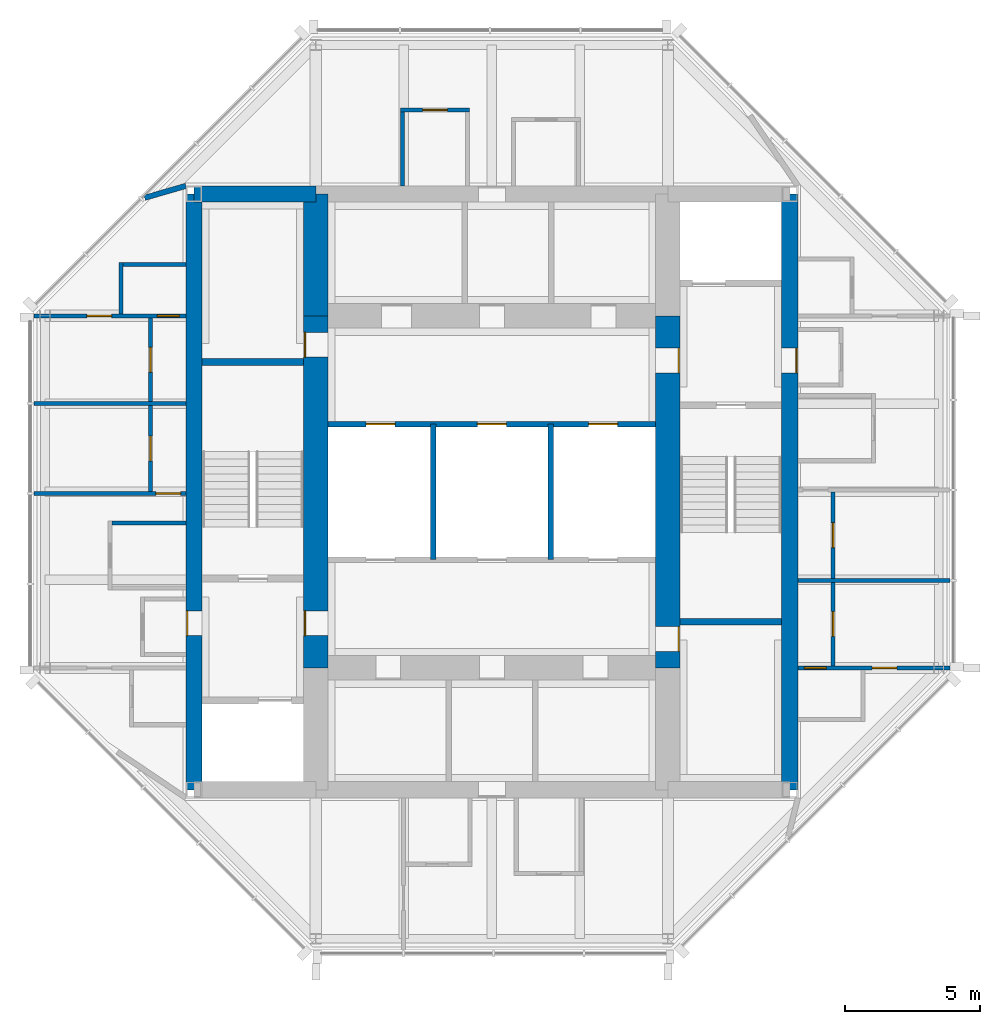
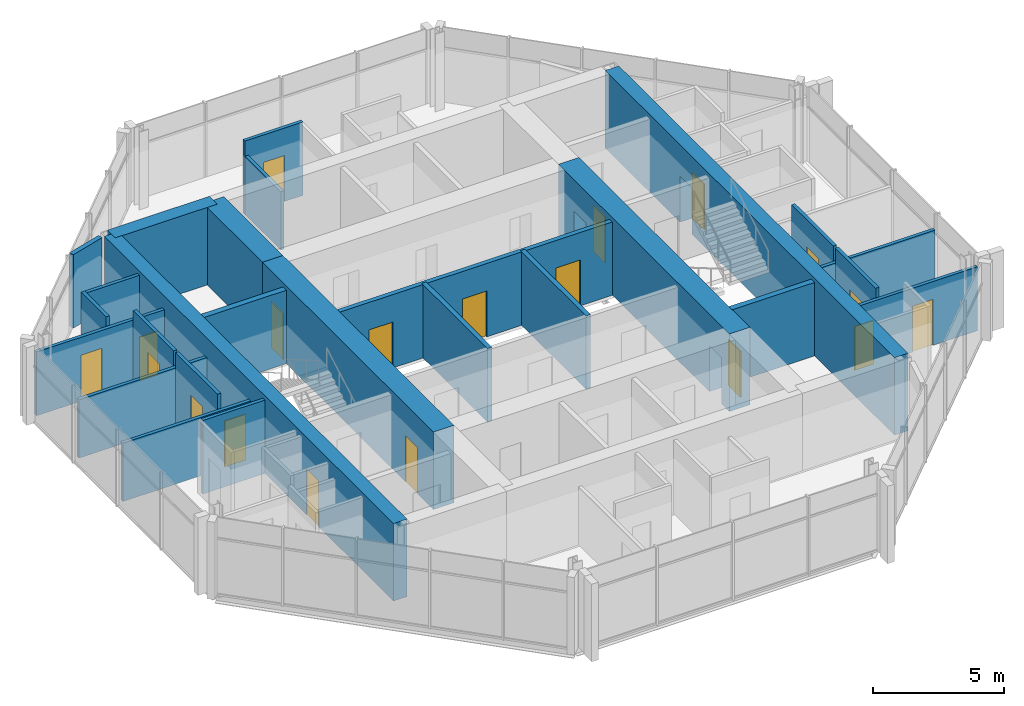
# One storey, part 6 of 9: 26 walls, 19 doors, 19 openings.
"""IFC4 building model written with IfcOpenShell, lengths in metres."""

from ifc_helpers import new_model, si_unit, direction, frame, frame_2d, origin, place, context, subcontext, project, spatial, rectangle, extrude, material, layer, layer_set, type_object, element, fill, save


model = new_model("IFC4")

# Units and contexts
model_context = context("Model", 3, precision=1e-05, world=origin(), true_north=direction((0.0, 1.0)))
body_context = subcontext(model_context, "Body", "Model", "MODEL_VIEW")
ifc_project = project(units=[si_unit("LENGTHUNIT", "METRE"), si_unit("AREAUNIT", "SQUARE_METRE"), si_unit("VOLUMEUNIT", "CUBIC_METRE"), si_unit("PLANEANGLEUNIT", "RADIAN"), si_unit("MASSUNIT", "GRAM", prefix="KILO")], contexts=[model_context])

# Site, building, storey
site_placement = place(None, origin())
site = spatial("IfcSite", under=ifc_project, at=site_placement, CompositionType="ELEMENT")
building_placement = place(site_placement, origin())
building = spatial("IfcBuilding", under=site, at=building_placement, Name="Trevanion Tower", CompositionType="ELEMENT")
storey_placement = place(building_placement, frame((0.0, 0.0, 292.0)))
storey = spatial("IfcBuildingStorey", under=building, at=storey_placement, Name="L72", CompositionType="ELEMENT", Elevation=292.0)

# Wall, opening, door
ifc_material_1 = material(Name="Concrete 10,000 psi", Category="concrete")
ifc_layer_1 = layer(ifc_material_1, 0.60009765625)
ifc_layer_set_1 = layer_set([ifc_layer_1], Name="CW1 core wall 600")
wall_type_1 = type_object("IfcWallType", Name="CW1 core wall 600", PredefinedType="SHEAR", material=ifc_layer_set_1)
wall_1_placement = place(storey_placement, frame((11.0, -11.0, 0.0), z_axis=(0.0, 0.0, 1.0), x_axis=(0.0, 1.0, 0.0)))
wall_1 = element("IfcWall", 1, at=wall_1_placement, inside=storey, type_object=wall_type_1, Name="CW1 CE L72", PredefinedType="SHEAR", context=body_context, shape_type="SweptSolid", body=[
    extrude(rectangle(XDim=22.0, YDim=0.60009765625, at=frame_2d((11.0, 0.0))), origin(), (0.0, 0.0, 1.0), 3.60009765625),
])
opening_1_placement = place(wall_1_placement, frame((15.392578125, 0.0, 0.0)))
opening_1 = element("IfcOpeningElement", 2, at=opening_1_placement, cuts=wall_1, Name="Opening 72-001", PredefinedType="OPENING", context=body_context, shape_type="SweptSolid", body=[
    extrude(rectangle(XDim=0.9150390625, YDim=2.134033203125, at=frame_2d((0.45751953125, 1.06689453125))), frame((0.0, 0.31005859375, 0.0), z_axis=(0.0, -1.0, 0.0), x_axis=(1.0, 0.0, 0.0)), (0.0, 0.0, 1.0), 0.6201171875),
])
ifc_material_2 = material(Name="Hollow metal, fire rated", Category="steel")
door_type_1 = type_object("IfcDoorType", Name="D3 fire lift lobby door", OperationType="SINGLE_SWING_RIGHT", PredefinedType="DOOR", material=ifc_material_2)
door_1_placement = place(opening_1_placement, origin())
door_1 = element("IfcDoor", 3, at=door_1_placement, inside=storey, type_object=door_type_1, Name="Door 72-001", OperationType="SINGLE_SWING_RIGHT", OverallHeight=2.134033203125, OverallWidth=0.9150390625, PredefinedType="DOOR", context=body_context, shape_type="SweptSolid", body=[
    extrude(rectangle(XDim=0.9150390625, YDim=2.134033203125, at=frame_2d((0.45751953125, 1.06689453125))), frame((0.0, -0.22509765625, 0.0), z_axis=(0.0, -1.0, 0.0), x_axis=(1.0, 0.0, 0.0)), (0.0, 0.0, 1.0), 0.050048828125),
])
fill(opening_1, door_1)

wall_2_placement = place(storey_placement, frame((-11.0, 11.0, 0.0), z_axis=(0.0, 0.0, 1.0), x_axis=(0.0, -1.0, 0.0)))
wall_2 = element("IfcWall", 4, at=wall_2_placement, inside=storey, type_object=wall_type_1, Name="CW1 CW L72", PredefinedType="SHEAR", context=body_context, shape_type="SweptSolid", body=[
    extrude(rectangle(XDim=22.0, YDim=0.60009765625, at=frame_2d((11.0, 0.0))), origin(), (0.0, 0.0, 1.0), 3.60009765625),
])
opening_2_placement = place(wall_2_placement, frame((15.392578125, 0.0, 0.0)))
opening_2 = element("IfcOpeningElement", 5, at=opening_2_placement, cuts=wall_2, Name="Opening 72-002", PredefinedType="OPENING", context=body_context, shape_type="SweptSolid", body=[
    extrude(rectangle(XDim=0.9150390625, YDim=2.134033203125, at=frame_2d((0.45751953125, 1.06689453125))), frame((0.0, 0.31005859375, 0.0), z_axis=(0.0, -1.0, 0.0), x_axis=(1.0, 0.0, 0.0)), (0.0, 0.0, 1.0), 0.6201171875),
])
door_2_placement = place(opening_2_placement, origin())
door_2 = element("IfcDoor", 6, at=door_2_placement, inside=storey, type_object=door_type_1, Name="Door 72-002", OperationType="SINGLE_SWING_RIGHT", OverallHeight=2.134033203125, OverallWidth=0.9150390625, PredefinedType="DOOR", context=body_context, shape_type="SweptSolid", body=[
    extrude(rectangle(XDim=0.9150390625, YDim=2.134033203125, at=frame_2d((0.45751953125, 1.06689453125))), frame((0.0, -0.22509765625, 0.0), z_axis=(0.0, -1.0, 0.0), x_axis=(1.0, 0.0, 0.0)), (0.0, 0.0, 1.0), 0.050048828125),
])
fill(opening_2, door_2)

# Wall
wall_3_placement = place(storey_placement, frame((-6.5, 11.0, 0.0), z_axis=(0.0, 0.0, 1.0), x_axis=(-1.0, 0.0, 0.0)))
element("IfcWall", 7, at=wall_3_placement, inside=storey, type_object=wall_type_1, Name="CW1 CN3 L72", PredefinedType="SHEAR", context=body_context, shape_type="SweptSolid", body=[
    extrude(rectangle(XDim=4.5, YDim=0.60009765625, at=frame_2d((2.25, 0.0))), origin(), (0.0, 0.0, 1.0), 3.60009765625),
])

# Wall, openings, doors
ifc_material_3 = material(Name="Concrete 10,000 psi", Category="concrete")
ifc_layer_2 = layer(ifc_material_3, 0.89990234375)
ifc_layer_set_2 = layer_set([ifc_layer_2], Name="CW2 core wall 900")
wall_type_2 = type_object("IfcWallType", Name="CW2 core wall 900", PredefinedType="SHEAR", material=ifc_layer_set_2)
wall_4_placement = place(storey_placement, frame((6.5, -6.5, 0.0), z_axis=(0.0, 0.0, 1.0), x_axis=(0.0, 1.0, 0.0)))
wall_4 = element("IfcWall", 8, at=wall_4_placement, inside=storey, type_object=wall_type_2, Name="CW2 RE2 L72", PredefinedType="SHEAR", context=body_context, shape_type="SweptSolid", body=[
    extrude(rectangle(XDim=13.0, YDim=0.89990234375, at=frame_2d((6.5, 0.0))), origin(), (0.0, 0.0, 1.0), 3.60009765625),
])
opening_3_placement = place(wall_4_placement, frame((10.892578125, 0.0, 0.0)))
opening_3 = element("IfcOpeningElement", 9, at=opening_3_placement, cuts=wall_4, Name="Opening 72-003", PredefinedType="OPENING", context=body_context, shape_type="SweptSolid", body=[
    extrude(rectangle(XDim=0.9150390625, YDim=2.134033203125, at=frame_2d((0.45751953125, 1.06689453125))), frame((0.0, 0.4599609375, 0.0), z_axis=(0.0, -1.0, 0.0), x_axis=(1.0, 0.0, 0.0)), (0.0, 0.0, 1.0), 0.919921875),
])
opening_4_placement = place(wall_4_placement, frame((0.610107421875, 0.0, 0.0)))
opening_4 = element("IfcOpeningElement", 10, at=opening_4_placement, cuts=wall_4, Name="Opening 72-009", PredefinedType="OPENING", context=body_context, shape_type="SweptSolid", body=[
    extrude(rectangle(XDim=0.9150390625, YDim=2.134033203125, at=frame_2d((0.45751953125, 1.06689453125))), frame((0.0, 0.4599609375, 0.0), z_axis=(0.0, -1.0, 0.0), x_axis=(1.0, 0.0, 0.0)), (0.0, 0.0, 1.0), 0.919921875),
])
door_3_placement = place(opening_3_placement, origin())
door_3 = element("IfcDoor", 11, at=door_3_placement, inside=storey, type_object=door_type_1, Name="Door 72-003", OperationType="SINGLE_SWING_RIGHT", OverallHeight=2.134033203125, OverallWidth=0.9150390625, PredefinedType="DOOR", context=body_context, shape_type="SweptSolid", body=[
    extrude(rectangle(XDim=0.9150390625, YDim=2.134033203125, at=frame_2d((0.45751953125, 1.06689453125))), frame((0.0, -0.375, 0.0), z_axis=(0.0, -1.0, 0.0), x_axis=(1.0, 0.0, 0.0)), (0.0, 0.0, 1.0), 0.050048828125),
])
fill(opening_3, door_3)
ifc_material_4 = material(Name="Hollow metal, fire rated", Category="steel")
door_type_2 = type_object("IfcDoorType", Name="D5 service room door", OperationType="SINGLE_SWING_RIGHT", PredefinedType="DOOR", material=ifc_material_4)
door_4_placement = place(opening_4_placement, origin())
door_4 = element("IfcDoor", 12, at=door_4_placement, inside=storey, type_object=door_type_2, Name="Door 72-009", OperationType="SINGLE_SWING_RIGHT", OverallHeight=2.134033203125, OverallWidth=0.9150390625, PredefinedType="DOOR", context=body_context, shape_type="SweptSolid", body=[
    extrude(rectangle(XDim=0.9150390625, YDim=2.134033203125, at=frame_2d((0.45751953125, 1.06689453125))), frame((0.0, -0.375, 0.0), z_axis=(0.0, -1.0, 0.0), x_axis=(1.0, 0.0, 0.0)), (0.0, 0.0, 1.0), 0.050048828125),
])
fill(opening_4, door_4)

# Wall
wall_5_placement = place(storey_placement, frame((-6.5, 11.0, 0.0), z_axis=(0.0, 0.0, 1.0), x_axis=(0.0, -1.0, 0.0)))
element("IfcWall", 13, at=wall_5_placement, inside=storey, type_object=wall_type_2, Name="CW2 RW1 L72", PredefinedType="SHEAR", context=body_context, shape_type="SweptSolid", body=[
    extrude(rectangle(XDim=4.5, YDim=0.89990234375, at=frame_2d((2.25, 0.0))), origin(), (0.0, 0.0, 1.0), 3.60009765625),
])

# Wall, openings, doors
wall_6_placement = place(storey_placement, frame((-6.5, 6.5, 0.0), z_axis=(0.0, 0.0, 1.0), x_axis=(0.0, -1.0, 0.0)))
wall_6 = element("IfcWall", 14, at=wall_6_placement, inside=storey, type_object=wall_type_2, Name="CW2 RW2 L72", PredefinedType="SHEAR", context=body_context, shape_type="SweptSolid", body=[
    extrude(rectangle(XDim=13.0, YDim=0.89990234375, at=frame_2d((6.5, 0.0))), origin(), (0.0, 0.0, 1.0), 3.60009765625),
])
opening_5_placement = place(wall_6_placement, frame((10.892578125, 0.0, 0.0)))
opening_5 = element("IfcOpeningElement", 15, at=opening_5_placement, cuts=wall_6, Name="Opening 72-004", PredefinedType="OPENING", context=body_context, shape_type="SweptSolid", body=[
    extrude(rectangle(XDim=0.9150390625, YDim=2.134033203125, at=frame_2d((0.45751953125, 1.06689453125))), frame((0.0, 0.4599609375, 0.0), z_axis=(0.0, -1.0, 0.0), x_axis=(1.0, 0.0, 0.0)), (0.0, 0.0, 1.0), 0.919921875),
])
opening_6_placement = place(wall_6_placement, frame((0.610107421875, 0.0, 0.0)))
opening_6 = element("IfcOpeningElement", 16, at=opening_6_placement, cuts=wall_6, Name="Opening 72-010", PredefinedType="OPENING", context=body_context, shape_type="SweptSolid", body=[
    extrude(rectangle(XDim=0.9150390625, YDim=2.134033203125, at=frame_2d((0.45751953125, 1.06689453125))), frame((0.0, 0.4599609375, 0.0), z_axis=(0.0, -1.0, 0.0), x_axis=(1.0, 0.0, 0.0)), (0.0, 0.0, 1.0), 0.919921875),
])
door_5_placement = place(opening_5_placement, origin())
door_5 = element("IfcDoor", 17, at=door_5_placement, inside=storey, type_object=door_type_1, Name="Door 72-004", OperationType="SINGLE_SWING_RIGHT", OverallHeight=2.134033203125, OverallWidth=0.9150390625, PredefinedType="DOOR", context=body_context, shape_type="SweptSolid", body=[
    extrude(rectangle(XDim=0.9150390625, YDim=2.134033203125, at=frame_2d((0.45751953125, 1.06689453125))), frame((0.0, -0.375, 0.0), z_axis=(0.0, -1.0, 0.0), x_axis=(1.0, 0.0, 0.0)), (0.0, 0.0, 1.0), 0.050048828125),
])
fill(opening_5, door_5)
door_6_placement = place(opening_6_placement, origin())
door_6 = element("IfcDoor", 18, at=door_6_placement, inside=storey, type_object=door_type_2, Name="Door 72-010", OperationType="SINGLE_SWING_RIGHT", OverallHeight=2.134033203125, OverallWidth=0.9150390625, PredefinedType="DOOR", context=body_context, shape_type="SweptSolid", body=[
    extrude(rectangle(XDim=0.9150390625, YDim=2.134033203125, at=frame_2d((0.45751953125, 1.06689453125))), frame((0.0, -0.375, 0.0), z_axis=(0.0, -1.0, 0.0), x_axis=(1.0, 0.0, 0.0)), (0.0, 0.0, 1.0), 0.050048828125),
])
fill(opening_6, door_6)

ifc_material_5 = material(Name="Gypsum board on steel studs", Category="steel")
ifc_layer_3 = layer(ifc_material_5, 0.14990234375)
ifc_layer_set_3 = layer_set([ifc_layer_3], Name="PT1 partition 150")
wall_type_3 = type_object("IfcWallType", Name="PT1 partition 150", PredefinedType="PARTITIONING", material=ifc_layer_set_3)
wall_7_placement = place(storey_placement, frame((11.300048828125, -6.5, 0.0), z_axis=(0.0, 0.0, 1.0), x_axis=(1.0, 0.0, 0.0)))
wall_7 = element("IfcWall", 19, at=wall_7_placement, inside=storey, type_object=wall_type_3, Name="PT1 L72 REC0", PredefinedType="PARTITIONING", context=body_context, shape_type="SweptSolid", body=[
    extrude(rectangle(XDim=5.614990234375, YDim=0.14990234375, at=frame_2d((2.8076171875, 0.0))), origin(), (0.0, 0.0, 1.0), 2.965576171875),
])
opening_7_placement = place(wall_7_placement, frame((0.243408203125, 0.0, 0.0)))
opening_7 = element("IfcOpeningElement", 20, at=opening_7_placement, cuts=wall_7, Name="Opening 72-031", PredefinedType="OPENING", context=body_context, shape_type="SweptSolid", body=[
    extrude(rectangle(XDim=0.81298828125, YDim=2.031982421875, at=frame_2d((0.406494140625, 1.01611328125))), frame((0.0, 0.0849609375, 0.0), z_axis=(0.0, -1.0, 0.0), x_axis=(1.0, 0.0, 0.0)), (0.0, 0.0, 1.0), 0.169921875),
])
opening_8_placement = place(wall_7_placement, frame((2.742431640625, 0.0, 0.0)))
opening_8 = element("IfcOpeningElement", 21, at=opening_8_placement, cuts=wall_7, Name="Opening 72-032", PredefinedType="OPENING", context=body_context, shape_type="SweptSolid", body=[
    extrude(rectangle(XDim=0.9150390625, YDim=2.134033203125, at=frame_2d((0.45751953125, 1.06689453125))), frame((0.0, 0.0849609375, 0.0), z_axis=(0.0, -1.0, 0.0), x_axis=(1.0, 0.0, 0.0)), (0.0, 0.0, 1.0), 0.169921875),
])
ifc_material_6 = material(Name="Timber veneer, solid core", Category="wood")
door_type_3 = type_object("IfcDoorType", Name="D1 office and meeting room door", OperationType="SINGLE_SWING_LEFT", PredefinedType="DOOR", material=ifc_material_6)
door_7_placement = place(opening_8_placement, origin())
door_7 = element("IfcDoor", 22, at=door_7_placement, inside=storey, type_object=door_type_3, Name="Door 72-032", OperationType="SINGLE_SWING_LEFT", OverallHeight=2.134033203125, OverallWidth=0.9150390625, PredefinedType="DOOR", context=body_context, shape_type="SweptSolid", body=[
    extrude(rectangle(XDim=0.9150390625, YDim=2.134033203125, at=frame_2d((0.45751953125, 1.06689453125))), frame((0.0, 0.02490234375, 0.0), z_axis=(0.0, -1.0, 0.0), x_axis=(1.0, 0.0, 0.0)), (0.0, 0.0, 1.0), 0.050048828125),
])
fill(opening_8, door_7)
ifc_material_7 = material(Name="Timber veneer", Category="wood")
door_type_4 = type_object("IfcDoorType", Name="D14 residence bathroom door", OperationType="SINGLE_SWING_LEFT", PredefinedType="DOOR", material=ifc_material_7)
door_8_placement = place(opening_7_placement, origin())
door_8 = element("IfcDoor", 23, at=door_8_placement, inside=storey, type_object=door_type_4, Name="Door 72-031", OperationType="SINGLE_SWING_LEFT", OverallHeight=2.031982421875, OverallWidth=0.81298828125, PredefinedType="DOOR", context=body_context, shape_type="SweptSolid", body=[
    extrude(rectangle(XDim=0.81298828125, YDim=2.031982421875, at=frame_2d((0.406494140625, 1.01611328125))), frame((0.0, 0.02490234375, 0.0), z_axis=(0.0, -1.0, 0.0), x_axis=(1.0, 0.0, 0.0)), (0.0, 0.0, 1.0), 0.050048828125),
])
fill(opening_7, door_8)

# Wall
wall_8_placement = place(storey_placement, frame((11.300048828125, -3.26611328125, 0.0), z_axis=(0.0, 0.0, 1.0), x_axis=(1.0, 0.0, 0.0)))
element("IfcWall", 24, at=wall_8_placement, inside=storey, type_object=wall_type_3, Name="PT1 L72 REC1", PredefinedType="PARTITIONING", context=body_context, shape_type="SweptSolid", body=[
    extrude(rectangle(XDim=5.614990234375, YDim=0.14990234375, at=frame_2d((2.8076171875, 0.0))), origin(), (0.0, 0.0, 1.0), 2.708984375),
])

# Wall, opening, door
wall_9_placement = place(storey_placement, frame((12.60009765625, -6.425048828125, 0.0), z_axis=(0.0, 0.0, 1.0), x_axis=(0.0, 1.0, 0.0)))
wall_9 = element("IfcWall", 25, at=wall_9_placement, inside=storey, type_object=wall_type_3, Name="PT1 L72 REH1", PredefinedType="PARTITIONING", context=body_context, shape_type="SweptSolid", body=[
    extrude(rectangle(XDim=3.083984375, YDim=0.14990234375, at=frame_2d((1.5419921875, 0.0))), origin(), (0.0, 0.0, 1.0), 3.409912109375),
])
opening_9_placement = place(wall_9_placement, frame((1.08447265625, 0.0, 0.0)))
opening_9 = element("IfcOpeningElement", 26, at=opening_9_placement, cuts=wall_9, Name="Opening 72-028", PredefinedType="OPENING", context=body_context, shape_type="SweptSolid", body=[
    extrude(rectangle(XDim=0.9150390625, YDim=2.134033203125, at=frame_2d((0.45751953125, 1.06689453125))), frame((0.0, 0.0849609375, 0.0), z_axis=(0.0, -1.0, 0.0), x_axis=(1.0, 0.0, 0.0)), (0.0, 0.0, 1.0), 0.169921875),
])
door_9_placement = place(opening_9_placement, origin())
door_9 = element("IfcDoor", 27, at=door_9_placement, inside=storey, type_object=door_type_3, Name="Door 72-028", OperationType="SINGLE_SWING_LEFT", OverallHeight=2.134033203125, OverallWidth=0.9150390625, PredefinedType="DOOR", context=body_context, shape_type="SweptSolid", body=[
    extrude(rectangle(XDim=0.9150390625, YDim=2.134033203125, at=frame_2d((0.45751953125, 1.06689453125))), frame((0.0, 0.02490234375, 0.0), z_axis=(0.0, -1.0, 0.0), x_axis=(1.0, 0.0, 0.0)), (0.0, 0.0, 1.0), 0.050048828125),
])
fill(opening_9, door_9)

wall_10_placement = place(storey_placement, frame((12.60009765625, -3.19091796875, 0.0), z_axis=(0.0, 0.0, 1.0), x_axis=(0.0, 1.0, 0.0)))
wall_10 = element("IfcWall", 28, at=wall_10_placement, inside=storey, type_object=wall_type_3, Name="PT1 L72 REH2", PredefinedType="PARTITIONING", context=body_context, shape_type="SweptSolid", body=[
    extrude(rectangle(XDim=3.180908203125, YDim=0.14990234375, at=frame_2d((1.59033203125, 0.0))), origin(), (0.0, 0.0, 1.0), 3.409912109375),
])
opening_10_placement = place(wall_10_placement, frame((1.133056640625, 0.0, 0.0)))
opening_10 = element("IfcOpeningElement", 29, at=opening_10_placement, cuts=wall_10, Name="Opening 72-029", PredefinedType="OPENING", context=body_context, shape_type="SweptSolid", body=[
    extrude(rectangle(XDim=0.9150390625, YDim=2.134033203125, at=frame_2d((0.45751953125, 1.06689453125))), frame((0.0, 0.0849609375, 0.0), z_axis=(0.0, -1.0, 0.0), x_axis=(1.0, 0.0, 0.0)), (0.0, 0.0, 1.0), 0.169921875),
])
door_10_placement = place(opening_10_placement, origin())
door_10 = element("IfcDoor", 30, at=door_10_placement, inside=storey, type_object=door_type_3, Name="Door 72-029", OperationType="SINGLE_SWING_LEFT", OverallHeight=2.134033203125, OverallWidth=0.9150390625, PredefinedType="DOOR", context=body_context, shape_type="SweptSolid", body=[
    extrude(rectangle(XDim=0.9150390625, YDim=2.134033203125, at=frame_2d((0.45751953125, 1.06689453125))), frame((0.0, 0.02490234375, 0.0), z_axis=(0.0, -1.0, 0.0), x_axis=(1.0, 0.0, 0.0)), (0.0, 0.0, 1.0), 0.050048828125),
])
fill(opening_10, door_10)

wall_11_placement = place(storey_placement, frame((-0.824951171875, 14.10009765625, 0.0), z_axis=(0.0, 0.0, 1.0), x_axis=(-1.0, 0.0, 0.0)))
wall_11 = element("IfcWall", 31, at=wall_11_placement, inside=storey, type_object=wall_type_3, Name="PT1 L72 RNKF", PredefinedType="PARTITIONING", context=body_context, shape_type="SweptSolid", body=[
    extrude(rectangle(XDim=2.550048828125, YDim=0.14990234375, at=frame_2d((1.27490234375, 0.0))), origin(), (0.0, 0.0, 1.0), 3.409912109375),
])
opening_11_placement = place(wall_11_placement, frame((0.8173828125, 0.0, 0.0)))
opening_11 = element("IfcOpeningElement", 32, at=opening_11_placement, cuts=wall_11, Name="Opening 72-034", PredefinedType="OPENING", context=body_context, shape_type="SweptSolid", body=[
    extrude(rectangle(XDim=0.9150390625, YDim=2.134033203125, at=frame_2d((0.45751953125, 1.06689453125))), frame((0.0, 0.0849609375, 0.0), z_axis=(0.0, -1.0, 0.0), x_axis=(1.0, 0.0, 0.0)), (0.0, 0.0, 1.0), 0.169921875),
])
door_11_placement = place(opening_11_placement, origin())
door_11 = element("IfcDoor", 33, at=door_11_placement, inside=storey, type_object=door_type_3, Name="Door 72-034", OperationType="SINGLE_SWING_LEFT", OverallHeight=2.134033203125, OverallWidth=0.9150390625, PredefinedType="DOOR", context=body_context, shape_type="SweptSolid", body=[
    extrude(rectangle(XDim=0.9150390625, YDim=2.134033203125, at=frame_2d((0.45751953125, 1.06689453125))), frame((0.0, 0.02490234375, 0.0), z_axis=(0.0, -1.0, 0.0), x_axis=(1.0, 0.0, 0.0)), (0.0, 0.0, 1.0), 0.050048828125),
])
fill(opening_11, door_11)

# Wall
wall_12_placement = place(storey_placement, frame((-3.300048828125, 11.300048828125, 0.0), z_axis=(0.0, 0.0, 1.0), x_axis=(0.0, 1.0, 0.0)))
element("IfcWall", 34, at=wall_12_placement, inside=storey, type_object=wall_type_3, Name="PT1 L72 RNKB", PredefinedType="PARTITIONING", context=body_context, shape_type="SweptSolid", body=[
    extrude(rectangle(XDim=2.724853515625, YDim=0.14990234375, at=frame_2d((1.3623046875, 0.0))), origin(), (0.0, 0.0, 1.0), 2.708984375),
])

# Wall, openings, doors
wall_13_placement = place(storey_placement, frame((-11.300048828125, 6.5, 0.0), z_axis=(0.0, 0.0, 1.0), x_axis=(-1.0, 0.0, 0.0)))
wall_13 = element("IfcWall", 35, at=wall_13_placement, inside=storey, type_object=wall_type_3, Name="PT1 L72 RWC0", PredefinedType="PARTITIONING", context=body_context, shape_type="SweptSolid", body=[
    extrude(rectangle(XDim=5.614990234375, YDim=0.14990234375, at=frame_2d((2.8076171875, 0.0))), origin(), (0.0, 0.0, 1.0), 2.965576171875),
])
opening_12_placement = place(wall_13_placement, frame((0.243408203125, 0.0, 0.0)))
opening_12 = element("IfcOpeningElement", 36, at=opening_12_placement, cuts=wall_13, Name="Opening 72-042", PredefinedType="OPENING", context=body_context, shape_type="SweptSolid", body=[
    extrude(rectangle(XDim=0.81298828125, YDim=2.031982421875, at=frame_2d((0.406494140625, 1.01611328125))), frame((0.0, 0.0849609375, 0.0), z_axis=(0.0, -1.0, 0.0), x_axis=(1.0, 0.0, 0.0)), (0.0, 0.0, 1.0), 0.169921875),
])
opening_13_placement = place(wall_13_placement, frame((2.742431640625, 0.0, 0.0)))
opening_13 = element("IfcOpeningElement", 37, at=opening_13_placement, cuts=wall_13, Name="Opening 72-043", PredefinedType="OPENING", context=body_context, shape_type="SweptSolid", body=[
    extrude(rectangle(XDim=0.9150390625, YDim=2.134033203125, at=frame_2d((0.45751953125, 1.06689453125))), frame((0.0, 0.0849609375, 0.0), z_axis=(0.0, -1.0, 0.0), x_axis=(1.0, 0.0, 0.0)), (0.0, 0.0, 1.0), 0.169921875),
])
door_12_placement = place(opening_13_placement, origin())
door_12 = element("IfcDoor", 38, at=door_12_placement, inside=storey, type_object=door_type_3, Name="Door 72-043", OperationType="SINGLE_SWING_LEFT", OverallHeight=2.134033203125, OverallWidth=0.9150390625, PredefinedType="DOOR", context=body_context, shape_type="SweptSolid", body=[
    extrude(rectangle(XDim=0.9150390625, YDim=2.134033203125, at=frame_2d((0.45751953125, 1.06689453125))), frame((0.0, 0.02490234375, 0.0), z_axis=(0.0, -1.0, 0.0), x_axis=(1.0, 0.0, 0.0)), (0.0, 0.0, 1.0), 0.050048828125),
])
fill(opening_13, door_12)
door_13_placement = place(opening_12_placement, origin())
door_13 = element("IfcDoor", 39, at=door_13_placement, inside=storey, type_object=door_type_4, Name="Door 72-042", OperationType="SINGLE_SWING_LEFT", OverallHeight=2.031982421875, OverallWidth=0.81298828125, PredefinedType="DOOR", context=body_context, shape_type="SweptSolid", body=[
    extrude(rectangle(XDim=0.81298828125, YDim=2.031982421875, at=frame_2d((0.406494140625, 1.01611328125))), frame((0.0, 0.02490234375, 0.0), z_axis=(0.0, -1.0, 0.0), x_axis=(1.0, 0.0, 0.0)), (0.0, 0.0, 1.0), 0.050048828125),
])
fill(opening_12, door_13)

# Wall
wall_14_placement = place(storey_placement, frame((-11.300048828125, 3.26611328125, 0.0), z_axis=(0.0, 0.0, 1.0), x_axis=(-1.0, 0.0, 0.0)))
element("IfcWall", 40, at=wall_14_placement, inside=storey, type_object=wall_type_3, Name="PT1 L72 RWC1", PredefinedType="PARTITIONING", context=body_context, shape_type="SweptSolid", body=[
    extrude(rectangle(XDim=5.614990234375, YDim=0.14990234375, at=frame_2d((2.8076171875, 0.0))), origin(), (0.0, 0.0, 1.0), 2.708984375),
])

# Wall, opening, door
wall_15_placement = place(storey_placement, frame((-11.300048828125, -0.06494140625, 0.0), z_axis=(0.0, 0.0, 1.0), x_axis=(-1.0, 0.0, 0.0)))
wall_15 = element("IfcWall", 41, at=wall_15_placement, inside=storey, type_object=wall_type_3, Name="PT1 L72 RWC2", PredefinedType="PARTITIONING", context=body_context, shape_type="SweptSolid", body=[
    extrude(rectangle(XDim=5.614990234375, YDim=0.14990234375, at=frame_2d((2.8076171875, 0.0))), origin(), (0.0, 0.0, 1.0), 2.708984375),
])
opening_14_placement = place(wall_15_placement, frame((0.1923828125, 0.0, 0.0)))
opening_14 = element("IfcOpeningElement", 42, at=opening_14_placement, cuts=wall_15, Name="Opening 72-041", PredefinedType="OPENING", context=body_context, shape_type="SweptSolid", body=[
    extrude(rectangle(XDim=0.9150390625, YDim=2.134033203125, at=frame_2d((0.45751953125, 1.06689453125))), frame((0.0, 0.0849609375, 0.0), z_axis=(0.0, -1.0, 0.0), x_axis=(1.0, 0.0, 0.0)), (0.0, 0.0, 1.0), 0.169921875),
])
door_14_placement = place(opening_14_placement, origin())
door_14 = element("IfcDoor", 43, at=door_14_placement, inside=storey, type_object=door_type_3, Name="Door 72-041", OperationType="SINGLE_SWING_LEFT", OverallHeight=2.134033203125, OverallWidth=0.9150390625, PredefinedType="DOOR", context=body_context, shape_type="SweptSolid", body=[
    extrude(rectangle(XDim=0.9150390625, YDim=2.134033203125, at=frame_2d((0.45751953125, 1.06689453125))), frame((0.0, 0.02490234375, 0.0), z_axis=(0.0, -1.0, 0.0), x_axis=(1.0, 0.0, 0.0)), (0.0, 0.0, 1.0), 0.050048828125),
])
fill(opening_14, door_14)

# Wall
wall_16_placement = place(storey_placement, frame((-11.300048828125, -1.14990234375, 0.0), z_axis=(0.0, 0.0, 1.0), x_axis=(-1.0, 0.0, 0.0)))
element("IfcWall", 44, at=wall_16_placement, inside=storey, type_object=wall_type_3, Name="PT1 L72 RWKA", PredefinedType="PARTITIONING", context=body_context, shape_type="SweptSolid", body=[
    extrude(rectangle(XDim=2.724853515625, YDim=0.14990234375, at=frame_2d((1.3623046875, 0.0))), origin(), (0.0, 0.0, 1.0), 3.409912109375),
])

# Wall, opening, door
wall_17_placement = place(storey_placement, frame((-12.60009765625, 6.425048828125, 0.0), z_axis=(0.0, 0.0, 1.0), x_axis=(0.0, -1.0, 0.0)))
wall_17 = element("IfcWall", 45, at=wall_17_placement, inside=storey, type_object=wall_type_3, Name="PT1 L72 RWH1", PredefinedType="PARTITIONING", context=body_context, shape_type="SweptSolid", body=[
    extrude(rectangle(XDim=3.083984375, YDim=0.14990234375, at=frame_2d((1.5419921875, 0.0))), origin(), (0.0, 0.0, 1.0), 3.409912109375),
])
opening_15_placement = place(wall_17_placement, frame((1.08447265625, 0.0, 0.0)))
opening_15 = element("IfcOpeningElement", 46, at=opening_15_placement, cuts=wall_17, Name="Opening 72-039", PredefinedType="OPENING", context=body_context, shape_type="SweptSolid", body=[
    extrude(rectangle(XDim=0.9150390625, YDim=2.134033203125, at=frame_2d((0.45751953125, 1.06689453125))), frame((0.0, 0.0849609375, 0.0), z_axis=(0.0, -1.0, 0.0), x_axis=(1.0, 0.0, 0.0)), (0.0, 0.0, 1.0), 0.169921875),
])
door_15_placement = place(opening_15_placement, origin())
door_15 = element("IfcDoor", 47, at=door_15_placement, inside=storey, type_object=door_type_3, Name="Door 72-039", OperationType="SINGLE_SWING_LEFT", OverallHeight=2.134033203125, OverallWidth=0.9150390625, PredefinedType="DOOR", context=body_context, shape_type="SweptSolid", body=[
    extrude(rectangle(XDim=0.9150390625, YDim=2.134033203125, at=frame_2d((0.45751953125, 1.06689453125))), frame((0.0, 0.02490234375, 0.0), z_axis=(0.0, -1.0, 0.0), x_axis=(1.0, 0.0, 0.0)), (0.0, 0.0, 1.0), 0.050048828125),
])
fill(opening_15, door_15)

wall_18_placement = place(storey_placement, frame((-12.60009765625, 3.19091796875, 0.0), z_axis=(0.0, 0.0, 1.0), x_axis=(0.0, -1.0, 0.0)))
wall_18 = element("IfcWall", 48, at=wall_18_placement, inside=storey, type_object=wall_type_3, Name="PT1 L72 RWH2", PredefinedType="PARTITIONING", context=body_context, shape_type="SweptSolid", body=[
    extrude(rectangle(XDim=3.180908203125, YDim=0.14990234375, at=frame_2d((1.59033203125, 0.0))), origin(), (0.0, 0.0, 1.0), 3.409912109375),
])
opening_16_placement = place(wall_18_placement, frame((1.133056640625, 0.0, 0.0)))
opening_16 = element("IfcOpeningElement", 49, at=opening_16_placement, cuts=wall_18, Name="Opening 72-040", PredefinedType="OPENING", context=body_context, shape_type="SweptSolid", body=[
    extrude(rectangle(XDim=0.9150390625, YDim=2.134033203125, at=frame_2d((0.45751953125, 1.06689453125))), frame((0.0, 0.0849609375, 0.0), z_axis=(0.0, -1.0, 0.0), x_axis=(1.0, 0.0, 0.0)), (0.0, 0.0, 1.0), 0.169921875),
])
door_16_placement = place(opening_16_placement, origin())
door_16 = element("IfcDoor", 50, at=door_16_placement, inside=storey, type_object=door_type_3, Name="Door 72-040", OperationType="SINGLE_SWING_LEFT", OverallHeight=2.134033203125, OverallWidth=0.9150390625, PredefinedType="DOOR", context=body_context, shape_type="SweptSolid", body=[
    extrude(rectangle(XDim=0.9150390625, YDim=2.134033203125, at=frame_2d((0.45751953125, 1.06689453125))), frame((0.0, 0.02490234375, 0.0), z_axis=(0.0, -1.0, 0.0), x_axis=(1.0, 0.0, 0.0)), (0.0, 0.0, 1.0), 0.050048828125),
])
fill(opening_16, door_16)

# Walls
wall_19_placement = place(storey_placement, frame((-13.699951171875, 6.574951171875, 0.0), z_axis=(0.0, 0.0, 1.0), x_axis=(0.0, 1.0, 0.0)))
element("IfcWall", 51, at=wall_19_placement, inside=storey, type_object=wall_type_3, Name="PT1 L72 RWTF", PredefinedType="PARTITIONING", context=body_context, shape_type="SweptSolid", body=[
    extrude(rectangle(XDim=1.900146484375, YDim=0.14990234375, at=frame_2d((0.9501953125, 0.0))), origin(), (0.0, 0.0, 1.0), 3.409912109375),
])
wall_20_placement = place(storey_placement, frame((-11.300048828125, 8.39990234375, 0.0), z_axis=(0.0, 0.0, 1.0), x_axis=(-1.0, 0.0, 0.0)))
element("IfcWall", 52, at=wall_20_placement, inside=storey, type_object=wall_type_3, Name="PT1 L72 RWTA", PredefinedType="PARTITIONING", context=body_context, shape_type="SweptSolid", body=[
    extrude(rectangle(XDim=2.324951171875, YDim=0.14990234375, at=frame_2d((1.16259765625, 0.0))), origin(), (0.0, 0.0, 1.0), 3.409912109375),
])

# Wall, openings, doors
ifc_material_8 = material(Name="Concrete masonry, grouted", Category="masonry")
ifc_layer_4 = layer(ifc_material_8, 0.199951171875)
ifc_layer_set_4 = layer_set([ifc_layer_4], Name="PT2 partition 200 1 HR")
wall_type_4 = type_object("IfcWallType", Name="PT2 partition 200 1 HR", PredefinedType="PARTITIONING", material=ifc_layer_set_4)
wall_21_placement = place(storey_placement, frame((-6.050048828125, 2.5, 0.0), z_axis=(0.0, 0.0, 1.0), x_axis=(1.0, 0.0, 0.0)))
wall_21 = element("IfcWall", 53, at=wall_21_placement, inside=storey, type_object=wall_type_4, Name="PT2 L72 CP1", PredefinedType="PARTITIONING", context=body_context, shape_type="SweptSolid", body=[
    extrude(rectangle(XDim=12.10009765625, YDim=0.199951171875, at=frame_2d((6.050048828125, 0.0))), origin(), (0.0, 0.0, 1.0), 3.409912109375),
])
opening_17_placement = place(wall_21_placement, frame((1.408203125, 0.0, 0.0)))
opening_17 = element("IfcOpeningElement", 54, at=opening_17_placement, cuts=wall_21, Name="Opening 72-011", PredefinedType="OPENING", context=body_context, shape_type="SweptSolid", body=[
    extrude(rectangle(XDim=1.06689453125, YDim=2.134033203125, at=frame_2d((0.533447265625, 1.06689453125))), frame((0.0, 0.10986328125, 0.0), z_axis=(0.0, -1.0, 0.0), x_axis=(1.0, 0.0, 0.0)), (0.0, 0.0, 1.0), 0.219970703125),
])
opening_18_placement = place(wall_21_placement, frame((5.5166015625, 0.0, 0.0)))
opening_18 = element("IfcOpeningElement", 55, at=opening_18_placement, cuts=wall_21, Name="Opening 72-013", PredefinedType="OPENING", context=body_context, shape_type="SweptSolid", body=[
    extrude(rectangle(XDim=1.06689453125, YDim=2.134033203125, at=frame_2d((0.533447265625, 1.06689453125))), frame((0.0, 0.10986328125, 0.0), z_axis=(0.0, -1.0, 0.0), x_axis=(1.0, 0.0, 0.0)), (0.0, 0.0, 1.0), 0.219970703125),
])
opening_19_placement = place(wall_21_placement, frame((9.624755859375, 0.0, 0.0)))
opening_19 = element("IfcOpeningElement", 56, at=opening_19_placement, cuts=wall_21, Name="Opening 72-015", PredefinedType="OPENING", context=body_context, shape_type="SweptSolid", body=[
    extrude(rectangle(XDim=1.06689453125, YDim=2.134033203125, at=frame_2d((0.533447265625, 1.06689453125))), frame((0.0, 0.10986328125, 0.0), z_axis=(0.0, -1.0, 0.0), x_axis=(1.0, 0.0, 0.0)), (0.0, 0.0, 1.0), 0.219970703125),
])
ifc_material_9 = material(Name="Stainless steel, fire rated", Category="steel")
door_type_5 = type_object("IfcDoorType", Name="LD1 lift landing door", OperationType="SLIDING_TO_LEFT", PredefinedType="DOOR", material=ifc_material_9)
door_17_placement = place(opening_17_placement, origin())
door_17 = element("IfcDoor", 57, at=door_17_placement, inside=storey, type_object=door_type_5, Name="Door 72-011", OperationType="SLIDING_TO_LEFT", OverallHeight=2.134033203125, OverallWidth=1.06689453125, PredefinedType="DOOR", context=body_context, shape_type="SweptSolid", body=[
    extrude(rectangle(XDim=1.06689453125, YDim=2.134033203125, at=frame_2d((0.533447265625, 1.06689453125))), frame((0.0, 0.02490234375, 0.0), z_axis=(0.0, -1.0, 0.0), x_axis=(1.0, 0.0, 0.0)), (0.0, 0.0, 1.0), 0.050048828125),
])
fill(opening_17, door_17)
door_18_placement = place(opening_18_placement, origin())
door_18 = element("IfcDoor", 58, at=door_18_placement, inside=storey, type_object=door_type_5, Name="Door 72-013", OperationType="SLIDING_TO_LEFT", OverallHeight=2.134033203125, OverallWidth=1.06689453125, PredefinedType="DOOR", context=body_context, shape_type="SweptSolid", body=[
    extrude(rectangle(XDim=1.06689453125, YDim=2.134033203125, at=frame_2d((0.533447265625, 1.06689453125))), frame((0.0, 0.02490234375, 0.0), z_axis=(0.0, -1.0, 0.0), x_axis=(1.0, 0.0, 0.0)), (0.0, 0.0, 1.0), 0.050048828125),
])
fill(opening_18, door_18)
door_19_placement = place(opening_19_placement, origin())
door_19 = element("IfcDoor", 59, at=door_19_placement, inside=storey, type_object=door_type_5, Name="Door 72-015", OperationType="SLIDING_TO_LEFT", OverallHeight=2.134033203125, OverallWidth=1.06689453125, PredefinedType="DOOR", context=body_context, shape_type="SweptSolid", body=[
    extrude(rectangle(XDim=1.06689453125, YDim=2.134033203125, at=frame_2d((0.533447265625, 1.06689453125))), frame((0.0, 0.02490234375, 0.0), z_axis=(0.0, -1.0, 0.0), x_axis=(1.0, 0.0, 0.0)), (0.0, 0.0, 1.0), 0.050048828125),
])
fill(opening_19, door_19)

# Walls
wall_22_placement = place(storey_placement, frame((-11.300048828125, 11.300048828125, 0.0), z_axis=(0.0, 0.0, 1.0), x_axis=(-0.960552344683, -0.278099250491, 0.0)))
element("IfcWall", 60, at=wall_22_placement, inside=storey, type_object=wall_type_4, Name="PT2 L72 UB1", PredefinedType="PARTITIONING", context=body_context, shape_type="SweptSolid", body=[
    extrude(rectangle(XDim=1.583740234375, YDim=0.199951171875, at=frame_2d((0.7919921875, 0.0))), origin(), (0.0, 0.0, 1.0), 3.409912109375),
])
ifc_material_10 = material(Name="Concrete masonry, grouted", Category="masonry")
ifc_layer_5 = layer(ifc_material_10, 0.199951171875)
ifc_layer_set_5 = layer_set([ifc_layer_5], Name="PT2 partition 200 2 HR")
wall_type_5 = type_object("IfcWallType", Name="PT2 partition 200 2 HR", PredefinedType="PARTITIONING", material=ifc_layer_set_5)
for number, where, z_axis, x_axis, name in (
    (61, (-2.166748046875, -2.5, 0.0), (0.0, 0.0, 1.0), (0.0, 1.0, 0.0), "PT2 L72 MS0"),
    (62, (2.166748046875, -2.5, 0.0), (0.0, 0.0, 1.0), (0.0, 1.0, 0.0), "PT2 L72 MS1"),
):
    element("IfcWall", number, at=place(storey_placement, frame(where, z_axis=z_axis, x_axis=x_axis)), inside=storey, type_object=wall_type_5, Name=name, PredefinedType="PARTITIONING", context=body_context, shape_type="SweptSolid", body=[
        extrude(rectangle(XDim=5.0, YDim=0.199951171875, at=frame_2d((2.5, 0.0))), origin(), (0.0, 0.0, 1.0), 3.409912109375),
    ])
ifc_material_11 = material(Name="Reinforced masonry, fully grouted", Category="masonry")
ifc_layer_6 = layer(ifc_material_11, 0.25)
ifc_layer_set_6 = layer_set([ifc_layer_6], Name="SW1 stair shaft wall 250")
wall_type_6 = type_object("IfcWallType", Name="SW1 stair shaft wall 250", PredefinedType="SOLIDWALL", material=ifc_layer_set_6)
for number, where, z_axis, x_axis, name in (
    (63, (6.949951171875, -4.800048828125, 0.0), (0.0, 0.0, 1.0), (1.0, 0.0, 0.0), "SW1 L72 EP1"),
    (64, (-6.949951171875, 4.800048828125, 0.0), (0.0, 0.0, 1.0), (-1.0, 0.0, 0.0), "SW1 L72 WP1"),
):
    element("IfcWall", number, at=place(storey_placement, frame(where, z_axis=z_axis, x_axis=x_axis)), inside=storey, type_object=wall_type_6, Name=name, PredefinedType="SOLIDWALL", context=body_context, shape_type="SweptSolid", body=[
        extrude(rectangle(XDim=3.75, YDim=0.25, at=frame_2d((1.875, 0.0))), origin(), (0.0, 0.0, 1.0), 3.409912109375),
    ])

save(model, "model.ifc")
